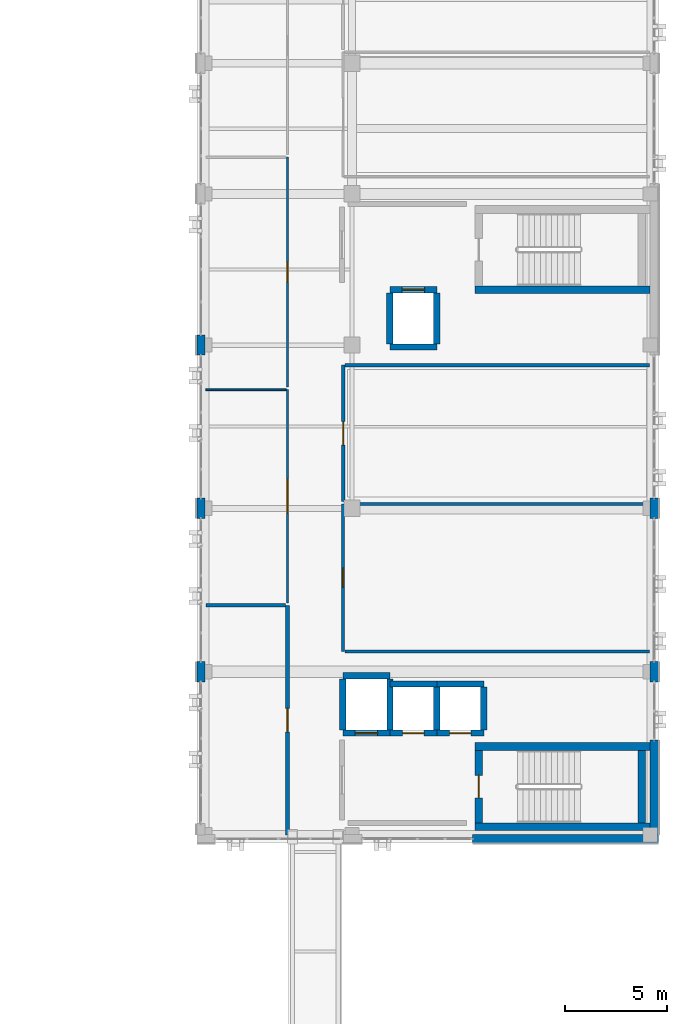
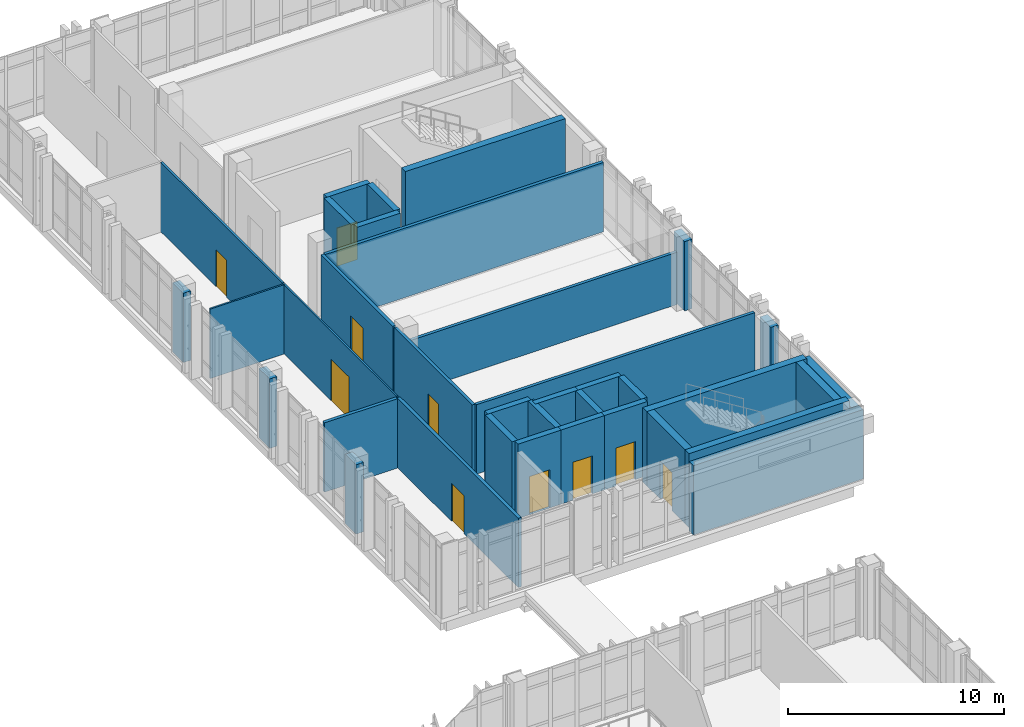
# One storey, part 132 of 158: 36 walls, 10 doors, 10 openings.
"""IFC4 building model written with IfcOpenShell, lengths in metres."""

from ifc_helpers import new_model, si_unit, direction, frame, frame_2d, origin, place, context, subcontext, project, spatial, rectangle, extrude, material, layer, layer_set, type_object, element, fill, save


model = new_model("IFC4")

# Units and contexts
model_context = context("Model", 3, precision=1e-05, world=origin(), true_north=direction((0.0, 1.0)))
body_context = subcontext(model_context, "Body", "Model", "MODEL_VIEW")
ifc_project = project(units=[si_unit("LENGTHUNIT", "METRE"), si_unit("AREAUNIT", "SQUARE_METRE"), si_unit("VOLUMEUNIT", "CUBIC_METRE"), si_unit("PLANEANGLEUNIT", "RADIAN"), si_unit("MASSUNIT", "GRAM", prefix="KILO")], contexts=[model_context])

# Site, building, storey
site_placement = place(None, origin())
site = spatial("IfcSite", under=ifc_project, at=site_placement, CompositionType="ELEMENT")
building_placement = place(site_placement, origin())
building = spatial("IfcBuilding", under=site, at=building_placement, Name="Qalavern Law Courts", CompositionType="ELEMENT")
storey_placement = place(building_placement, frame((0.0, 0.0, 18.60009765625)))
storey = spatial("IfcBuildingStorey", under=building, at=storey_placement, Name="L04", CompositionType="ELEMENT", Elevation=18.60009765625)

# Walls
ifc_material_1 = material(Name="Concrete C40/50", Category="concrete")
ifc_layer_1 = layer(ifc_material_1, 0.39990234375)
ifc_layer_set_1 = layer_set([ifc_layer_1], Name="Concrete C40/50")
wall_type_1 = type_object("IfcWallType", Name="ENV-EW-400", PredefinedType="SOLIDWALL", material=ifc_layer_set_1)
wall_1_placement = place(storey_placement, frame((97.699951171875, 41.219970703125, 0.0), z_axis=(0.0, 0.0, 1.0), x_axis=(1.0, 0.0, 0.0)))
element("IfcWall", 1, at=wall_1_placement, inside=storey, type_object=wall_type_1, Name="V4 exterior pier wall L04 south 3", PredefinedType="SOLIDWALL", context=body_context, shape_type="SweptSolid", body=[
    extrude(rectangle(XDim=9.10009765625, YDim=0.39990234375, at=frame_2d((4.550048828125, 0.0))), origin(), (0.0, 0.0, 1.0), 3.9248046875),
])
wall_2_placement = place(storey_placement, frame((106.60009765625, 41.4150390625, 0.0), z_axis=(0.0, 0.0, 1.0), x_axis=(0.0, 1.0, 0.0)))
element("IfcWall", 2, at=wall_2_placement, inside=storey, type_object=wall_type_1, Name="V4 exterior pier wall L04 east 1", PredefinedType="SOLIDWALL", context=body_context, shape_type="SweptSolid", body=[
    extrude(rectangle(XDim=4.635009765625, YDim=0.39990234375, at=frame_2d((2.3173828125, 0.0))), origin(), (0.0, 0.0, 1.0), 3.9248046875),
])
for number, where, z_axis, x_axis, name in (
    (3, (106.60009765625, 48.89990234375, 0.0), (0.0, 0.0, 1.0), (0.0, 1.0, 0.0), "V4 exterior pier wall L04 east 2"),
    (4, (106.60009765625, 56.89990234375, 0.0), (0.0, 0.0, 1.0), (0.0, 1.0, 0.0), "V4 exterior pier wall L04 east 3"),
    (5, (84.39990234375, 65.89990234375, 0.0), (0.0, 0.0, 1.0), (0.0, -1.0, 0.0), "V4 exterior pier wall L04 west 4"),
    (6, (84.39990234375, 57.89990234375, 0.0), (0.0, 0.0, 1.0), (0.0, -1.0, 0.0), "V4 exterior pier wall L04 west 5"),
    (7, (84.39990234375, 49.89990234375, 0.0), (0.0, 0.0, 1.0), (0.0, -1.0, 0.0), "V4 exterior pier wall L04 west 6"),
):
    element("IfcWall", number, at=place(storey_placement, frame(where, z_axis=z_axis, x_axis=x_axis)), inside=storey, type_object=wall_type_1, Name=name, PredefinedType="SOLIDWALL", context=body_context, shape_type="SweptSolid", body=[
        extrude(rectangle(XDim=1.0, YDim=0.39990234375, at=frame_2d((0.5, 0.0))), origin(), (0.0, 0.0, 1.0), 3.9248046875),
    ])
ifc_material_2 = material(Name="Concrete C45/55", Category="concrete")
ifc_layer_2 = layer(ifc_material_2, 0.375)
ifc_layer_set_2 = layer_set([ifc_layer_2], Name="Concrete C45/55")
wall_type_2 = type_object("IfcWallType", Name="INT-CW-375", PredefinedType="SHEAR", material=ifc_layer_set_2)
wall_3_placement = place(storey_placement, frame((97.824951171875, 41.8125, 0.0), z_axis=(0.0, 0.0, 1.0), x_axis=(1.0, 0.0, 0.0)))
element("IfcWall", 8, at=wall_3_placement, inside=storey, type_object=wall_type_2, Name="Core K1A stair shear wall L04 south", PredefinedType="SHEAR", context=body_context, shape_type="SweptSolid", body=[
    extrude(rectangle(XDim=8.572021484375, YDim=0.375, at=frame_2d((4.2861328125, 0.0))), origin(), (0.0, 0.0, 1.0), 4.199951171875),
])
wall_4_placement = place(storey_placement, frame((105.987548828125, 42.0, 0.0), z_axis=(0.0, 0.0, 1.0), x_axis=(0.0, 1.0, 0.0)))
element("IfcWall", 9, at=wall_4_placement, inside=storey, type_object=wall_type_2, Name="Core K1A stair shear wall L04 east", PredefinedType="SHEAR", context=body_context, shape_type="SweptSolid", body=[
    extrude(rectangle(XDim=3.550048828125, YDim=0.375, at=frame_2d((1.77490234375, 0.0))), origin(), (0.0, 0.0, 1.0), 4.199951171875),
])
wall_5_placement = place(storey_placement, frame((106.39697265625, 45.737548828125, 0.0), z_axis=(0.0, 0.0, 1.0), x_axis=(-1.0, 0.0, 0.0)))
element("IfcWall", 10, at=wall_5_placement, inside=storey, type_object=wall_type_2, Name="Core K1A stair shear wall L04 north", PredefinedType="SHEAR", context=body_context, shape_type="SweptSolid", body=[
    extrude(rectangle(XDim=8.572021484375, YDim=0.375, at=frame_2d((4.2861328125, 0.0))), origin(), (0.0, 0.0, 1.0), 4.199951171875),
])

# Wall, opening, door
wall_6_placement = place(storey_placement, frame((98.012451171875, 45.550048828125, 0.0), z_axis=(0.0, 0.0, 1.0), x_axis=(0.0, -1.0, 0.0)))
wall_6 = element("IfcWall", 11, at=wall_6_placement, inside=storey, type_object=wall_type_2, Name="Core K1A stair shear wall L04 west", PredefinedType="SHEAR", context=body_context, shape_type="SweptSolid", body=[
    extrude(rectangle(XDim=3.550048828125, YDim=0.375, at=frame_2d((1.77490234375, 0.0))), origin(), (0.0, 0.0, 1.0), 4.199951171875),
])
opening_1_placement = place(wall_6_placement, frame((1.22509765625, 0.0, 0.0)))
opening_1 = element("IfcOpeningElement", 12, at=opening_1_placement, cuts=wall_6, Name="Opening L04-D013", PredefinedType="OPENING", context=body_context, shape_type="SweptSolid", body=[
    extrude(rectangle(XDim=1.10009765625, YDim=2.14990234375, at=frame_2d((0.550048828125, 1.074951171875))), frame((0.0, 0.202392578125, 0.0), z_axis=(0.0, -1.0, 0.0), x_axis=(1.0, 0.0, 0.0)), (0.0, 0.0, 1.0), 0.40478515625),
])
ifc_material_3 = material(Name="Steel fire-rated stair enclosure door", Category="steel")
door_type_1 = type_object("IfcDoorType", Name="INT-FD-1100x2150", OperationType="NOTDEFINED", PredefinedType="DOOR", material=ifc_material_3)
door_1_placement = place(opening_1_placement, frame((1.10009765625, 0.0, 0.0), z_axis=(0.0, 0.0, 1.0), x_axis=(-1.0, 0.0, 0.0)))
door_1 = element("IfcDoor", 13, at=door_1_placement, inside=storey, type_object=door_type_1, Name="Stair K1A fire door L04", OperationType="SINGLE_SWING_LEFT", OverallHeight=2.14990234375, OverallWidth=1.10009765625, PredefinedType="DOOR", context=body_context, shape_type="SweptSolid", body=[
    extrude(rectangle(XDim=1.10009765625, YDim=2.14990234375, at=frame_2d((0.550048828125, 1.074951171875))), frame((0.0, 0.02490234375, 0.0), z_axis=(0.0, -1.0, 0.0), x_axis=(1.0, 0.0, 0.0)), (0.0, 0.0, 1.0), 0.050048828125),
])
fill(opening_1, door_1)

# Wall
wall_7_placement = place(storey_placement, frame((97.824951171875, 68.112548828125, 0.0), z_axis=(0.0, 0.0, 1.0), x_axis=(1.0, 0.0, 0.0)))
element("IfcWall", 14, at=wall_7_placement, inside=storey, type_object=wall_type_2, Name="Core K1B stair shear wall L04 south", PredefinedType="SHEAR", context=body_context, shape_type="SweptSolid", body=[
    extrude(rectangle(XDim=8.572021484375, YDim=0.375, at=frame_2d((4.2861328125, 0.0))), origin(), (0.0, 0.0, 1.0), 4.199951171875),
])

# Wall, opening, door
ifc_material_4 = material(Name="Gypsum shaft/chase partition")
ifc_layer_3 = layer(ifc_material_4, 0.092041015625)
ifc_layer_set_3 = layer_set([ifc_layer_3], Name="Gypsum shaft/chase partition")
wall_type_3 = type_object("IfcWallType", Name="INT-PW-092", PredefinedType="PARTITIONING", material=ifc_layer_set_3)
wall_8_placement = place(storey_placement, frame((88.639892578125, 52.77001953125, 0.0), z_axis=(0.0, 0.0, 1.0), x_axis=(0.0, 1.0, 0.0)))
wall_8 = element("IfcWall", 15, at=wall_8_placement, inside=storey, type_object=wall_type_3, Name="Commercial Courtroom corridor partition L04", PredefinedType="PARTITIONING", context=body_context, shape_type="SweptSolid", body=[
    extrude(rectangle(XDim=10.44189453125, YDim=0.092041015625, at=frame_2d((5.220947265625, 0.0))), origin(), (0.0, 0.0, 1.0), 3.9248046875),
])
opening_2_placement = place(wall_8_placement, frame((4.39599609375, 0.0, 0.0)))
opening_2 = element("IfcOpeningElement", 16, at=opening_2_placement, cuts=wall_8, Name="Opening L04-D286", PredefinedType="OPENING", context=body_context, shape_type="SweptSolid", body=[
    extrude(rectangle(XDim=1.64990234375, YDim=2.35009765625, at=frame_2d((0.824951171875, 1.175048828125))), frame((0.0, 0.06103515625, 0.0), z_axis=(0.0, -1.0, 0.0), x_axis=(1.0, 0.0, 0.0)), (0.0, 0.0, 1.0), 0.121826171875),
])
ifc_material_5 = material(Name="Acoustic oak double Ceremonial Courtroom door")
door_type_2 = type_object("IfcDoorType", Name="INT-ID-1650x2350", OperationType="DOUBLE_DOOR_SINGLE_SWING", PredefinedType="DOOR", material=ifc_material_5)
door_2_placement = place(opening_2_placement, frame((1.64990234375, 0.0, 0.0), z_axis=(0.0, 0.0, 1.0), x_axis=(-1.0, 0.0, 0.0)))
door_2 = element("IfcDoor", 17, at=door_2_placement, inside=storey, type_object=door_type_2, Name="Commercial Courtroom door L04", OperationType="DOUBLE_DOOR_SINGLE_SWING", OverallHeight=2.35009765625, OverallWidth=1.64990234375, PredefinedType="DOOR", context=body_context, shape_type="SweptSolid", body=[
    extrude(rectangle(XDim=1.64990234375, YDim=2.35009765625, at=frame_2d((0.824951171875, 1.175048828125))), frame((0.0, 0.02490234375, 0.0), z_axis=(0.0, -1.0, 0.0), x_axis=(1.0, 0.0, 0.0)), (0.0, 0.0, 1.0), 0.050048828125),
])
fill(opening_2, door_2)

# Wall
wall_9_placement = place(storey_placement, frame((84.639892578125, 63.2119140625, 0.0), z_axis=(0.0, 0.0, 1.0), x_axis=(1.0, 0.0, 0.0)))
element("IfcWall", 18, at=wall_9_placement, inside=storey, type_object=wall_type_3, Name="Commercial Courtroom cross partition L04 north", PredefinedType="PARTITIONING", context=body_context, shape_type="SweptSolid", body=[
    extrude(rectangle(XDim=3.93408203125, YDim=0.092041015625, at=frame_2d((1.967041015625, 0.0))), origin(), (0.0, 0.0, 1.0), 3.9248046875),
])

# Wall, opening, door
ifc_material_6 = material(Name="Gypsum stud partition")
ifc_layer_4 = layer(ifc_material_6, 0.112060546875)
ifc_layer_set_4 = layer_set([ifc_layer_4], Name="Gypsum stud partition")
wall_type_4 = type_object("IfcWallType", Name="INT-PW-112", PredefinedType="PARTITIONING", material=ifc_layer_set_4)
wall_10_placement = place(storey_placement, frame((88.639892578125, 63.33203125, 0.0), z_axis=(0.0, 0.0, 1.0), x_axis=(0.0, 1.0, 0.0)))
wall_10 = element("IfcWall", 19, at=wall_10_placement, inside=storey, type_object=wall_type_4, Name="Jury Deliberation Suite corridor partition L04", PredefinedType="PARTITIONING", context=body_context, shape_type="SweptSolid", body=[
    extrude(rectangle(XDim=11.26806640625, YDim=0.112060546875, at=frame_2d((5.634033203125, 0.0))), origin(), (0.0, 0.0, 1.0), 3.9248046875),
])
opening_3_placement = place(wall_10_placement, frame((5.14404296875, 0.0, 0.0)))
opening_3 = element("IfcOpeningElement", 20, at=opening_3_placement, cuts=wall_10, Name="Opening L04-D287", PredefinedType="OPENING", context=body_context, shape_type="SweptSolid", body=[
    extrude(rectangle(XDim=0.97998046875, YDim=2.090087890625, at=frame_2d((0.489990234375, 1.044921875))), frame((0.0, 0.07080078125, 0.0), z_axis=(0.0, -1.0, 0.0), x_axis=(1.0, 0.0, 0.0)), (0.0, 0.0, 1.0), 0.141845703125),
])
ifc_material_7 = material(Name="Timber Legal Research Office door", Category="wood")
door_type_3 = type_object("IfcDoorType", Name="INT-ID-980x2090", OperationType="NOTDEFINED", PredefinedType="DOOR", material=ifc_material_7)
door_3_placement = place(opening_3_placement, frame((0.97998046875, 0.0, 0.0), z_axis=(0.0, 0.0, 1.0), x_axis=(-1.0, 0.0, 0.0)))
door_3 = element("IfcDoor", 21, at=door_3_placement, inside=storey, type_object=door_type_3, Name="Jury Deliberation Suite door L04", OperationType="SINGLE_SWING_LEFT", OverallHeight=2.090087890625, OverallWidth=0.97998046875, PredefinedType="DOOR", context=body_context, shape_type="SweptSolid", body=[
    extrude(rectangle(XDim=0.97998046875, YDim=2.090087890625, at=frame_2d((0.489990234375, 1.044921875))), frame((0.0, 0.02490234375, 0.0), z_axis=(0.0, -1.0, 0.0), x_axis=(1.0, 0.0, 0.0)), (0.0, 0.0, 1.0), 0.050048828125),
])
fill(opening_3, door_3)

ifc_layer_5 = layer(ifc_material_6, 0.162109375)
ifc_layer_set_5 = layer_set([ifc_layer_5], Name="Gypsum stud partition")
wall_type_5 = type_object("IfcWallType", Name="INT-PW-162", PredefinedType="PARTITIONING", material=ifc_layer_set_5)
wall_11_placement = place(storey_placement, frame((91.360107421875, 50.389892578125, 0.0), z_axis=(0.0, 0.0, 1.0), x_axis=(0.0, 1.0, 0.0)))
wall_11 = element("IfcWall", 22, at=wall_11_placement, inside=storey, type_object=wall_type_5, Name="Accessible WC corridor partition L04", PredefinedType="PARTITIONING", context=body_context, shape_type="SweptSolid", body=[
    extrude(rectangle(XDim=7.22509765625, YDim=0.162109375, at=frame_2d((3.612548828125, 0.0))), origin(), (0.0, 0.0, 1.0), 3.9248046875),
])
opening_4_placement = place(wall_11_placement, frame((3.142578125, 0.0, 0.0)))
opening_4 = element("IfcOpeningElement", 23, at=opening_4_placement, cuts=wall_11, Name="Opening L04-D289", PredefinedType="OPENING", context=body_context, shape_type="SweptSolid", body=[
    extrude(rectangle(XDim=0.93994140625, YDim=2.070068359375, at=frame_2d((0.469970703125, 1.03515625))), frame((0.0, 0.095947265625, 0.0), z_axis=(0.0, -1.0, 0.0), x_axis=(1.0, 0.0, 0.0)), (0.0, 0.0, 1.0), 0.19189453125),
])
ifc_material_8 = material(Name="Accessible WC outward-clear door")
door_type_4 = type_object("IfcDoorType", Name="INT-ID-940x2070", OperationType="NOTDEFINED", PredefinedType="DOOR", material=ifc_material_8)
door_4_placement = place(opening_4_placement, origin())
door_4 = element("IfcDoor", 24, at=door_4_placement, inside=storey, type_object=door_type_4, Name="Accessible WC door L04", OperationType="SINGLE_SWING_LEFT", OverallHeight=2.070068359375, OverallWidth=0.93994140625, PredefinedType="DOOR", context=body_context, shape_type="SweptSolid", body=[
    extrude(rectangle(XDim=0.93994140625, YDim=2.070068359375, at=frame_2d((0.469970703125, 1.03515625))), frame((0.0, 0.02490234375, 0.0), z_axis=(0.0, -1.0, 0.0), x_axis=(1.0, 0.0, 0.0)), (0.0, 0.0, 1.0), 0.050048828125),
])
fill(opening_4, door_4)

# Walls
wall_12_placement = place(storey_placement, frame((91.4609375, 50.389892578125, 0.0), z_axis=(0.0, 0.0, 1.0), x_axis=(1.0, 0.0, 0.0)))
element("IfcWall", 25, at=wall_12_placement, inside=storey, type_object=wall_type_5, Name="Accessible WC cross partition L04 south", PredefinedType="PARTITIONING", context=body_context, shape_type="SweptSolid", body=[
    extrude(rectangle(XDim=14.899169921875, YDim=0.162109375, at=frame_2d((7.44970703125, 0.0))), origin(), (0.0, 0.0, 1.0), 3.9248046875),
])
wall_13_placement = place(storey_placement, frame((91.4609375, 57.614990234375, 0.0), z_axis=(0.0, 0.0, 1.0), x_axis=(1.0, 0.0, 0.0)))
element("IfcWall", 26, at=wall_13_placement, inside=storey, type_object=wall_type_5, Name="Accessible WC cross partition L04 north", PredefinedType="PARTITIONING", context=body_context, shape_type="SweptSolid", body=[
    extrude(rectangle(XDim=14.899169921875, YDim=0.162109375, at=frame_2d((7.44970703125, 0.0))), origin(), (0.0, 0.0, 1.0), 2.954833984375),
])

# Wall, opening, door
ifc_material_9 = material(Name="Gypsum acoustic stud partition")
ifc_layer_6 = layer(ifc_material_9, 0.174072265625)
ifc_layer_set_6 = layer_set([ifc_layer_6], Name="Gypsum acoustic stud partition")
wall_type_6 = type_object("IfcWallType", Name="INT-PW-174", PredefinedType="PARTITIONING", material=ifc_layer_set_6)
wall_14_placement = place(storey_placement, frame((88.639892578125, 41.39990234375, 0.0), z_axis=(0.0, 0.0, 1.0), x_axis=(0.0, 1.0, 0.0)))
wall_14 = element("IfcWall", 27, at=wall_14_placement, inside=storey, type_object=wall_type_6, Name="Appellate Courtroom corridor partition L04", PredefinedType="PARTITIONING", context=body_context, shape_type="SweptSolid", body=[
    extrude(rectangle(XDim=11.25, YDim=0.174072265625, at=frame_2d((5.625, 0.0))), origin(), (0.0, 0.0, 1.0), 3.9248046875),
])
opening_5_placement = place(wall_14_placement, frame((5.050048828125, 0.0, 0.0)))
opening_5 = element("IfcOpeningElement", 28, at=opening_5_placement, cuts=wall_14, Name="Opening L04-D285", PredefinedType="OPENING", context=body_context, shape_type="SweptSolid", body=[
    extrude(rectangle(XDim=1.14990234375, YDim=2.14990234375, at=frame_2d((0.574951171875, 1.074951171875))), frame((0.0, 0.10205078125, 0.0), z_axis=(0.0, -1.0, 0.0), x_axis=(1.0, 0.0, 0.0)), (0.0, 0.0, 1.0), 0.203857421875),
])
ifc_material_10 = material(Name="Acoustic oak Witness Waiting door")
door_type_5 = type_object("IfcDoorType", Name="INT-ID-1150x2150", OperationType="NOTDEFINED", PredefinedType="DOOR", material=ifc_material_10)
door_5_placement = place(opening_5_placement, frame((1.14990234375, 0.0, 0.0), z_axis=(0.0, 0.0, 1.0), x_axis=(-1.0, 0.0, 0.0)))
door_5 = element("IfcDoor", 29, at=door_5_placement, inside=storey, type_object=door_type_5, Name="Appellate Courtroom door L04", OperationType="SINGLE_SWING_RIGHT", OverallHeight=2.14990234375, OverallWidth=1.14990234375, PredefinedType="DOOR", context=body_context, shape_type="SweptSolid", body=[
    extrude(rectangle(XDim=1.14990234375, YDim=2.14990234375, at=frame_2d((0.574951171875, 1.074951171875))), frame((0.0, 0.02490234375, 0.0), z_axis=(0.0, -1.0, 0.0), x_axis=(1.0, 0.0, 0.0)), (0.0, 0.0, 1.0), 0.050048828125),
])
fill(opening_5, door_5)

# Wall
wall_15_placement = place(storey_placement, frame((84.639892578125, 52.64990234375, 0.0), z_axis=(0.0, 0.0, 1.0), x_axis=(1.0, 0.0, 0.0)))
element("IfcWall", 30, at=wall_15_placement, inside=storey, type_object=wall_type_6, Name="Appellate Courtroom cross partition L04 north", PredefinedType="PARTITIONING", context=body_context, shape_type="SweptSolid", body=[
    extrude(rectangle(XDim=3.89306640625, YDim=0.174072265625, at=frame_2d((1.946533203125, 0.0))), origin(), (0.0, 0.0, 1.0), 3.9248046875),
])

# Wall, opening, door
wall_16_placement = place(storey_placement, frame((91.360107421875, 57.735107421875, 0.0), z_axis=(0.0, 0.0, 1.0), x_axis=(0.0, 1.0, 0.0)))
wall_16 = element("IfcWall", 31, at=wall_16_placement, inside=storey, type_object=wall_type_6, Name="Appellate Courtroom corridor partition L04", PredefinedType="PARTITIONING", context=body_context, shape_type="SweptSolid", body=[
    extrude(rectangle(XDim=6.6748046875, YDim=0.174072265625, at=frame_2d((3.33740234375, 0.0))), origin(), (0.0, 0.0, 1.0), 3.9248046875),
])
opening_6_placement = place(wall_16_placement, frame((2.762451171875, 0.0, 0.0)))
opening_6 = element("IfcOpeningElement", 32, at=opening_6_placement, cuts=wall_16, Name="Opening L04-D290", PredefinedType="OPENING", context=body_context, shape_type="SweptSolid", body=[
    extrude(rectangle(XDim=1.14990234375, YDim=2.14990234375, at=frame_2d((0.574951171875, 1.074951171875))), frame((0.0, 0.10205078125, 0.0), z_axis=(0.0, -1.0, 0.0), x_axis=(1.0, 0.0, 0.0)), (0.0, 0.0, 1.0), 0.203857421875),
])
door_6_placement = place(opening_6_placement, origin())
door_6 = element("IfcDoor", 33, at=door_6_placement, inside=storey, type_object=door_type_5, Name="Appellate Courtroom door L04", OperationType="SINGLE_SWING_RIGHT", OverallHeight=2.14990234375, OverallWidth=1.14990234375, PredefinedType="DOOR", context=body_context, shape_type="SweptSolid", body=[
    extrude(rectangle(XDim=1.14990234375, YDim=2.14990234375, at=frame_2d((0.574951171875, 1.074951171875))), frame((0.0, 0.02490234375, 0.0), z_axis=(0.0, -1.0, 0.0), x_axis=(1.0, 0.0, 0.0)), (0.0, 0.0, 1.0), 0.050048828125),
])
fill(opening_6, door_6)

# Wall
wall_17_placement = place(storey_placement, frame((91.467041015625, 64.409912109375, 0.0), z_axis=(0.0, 0.0, 1.0), x_axis=(1.0, 0.0, 0.0)))
element("IfcWall", 34, at=wall_17_placement, inside=storey, type_object=wall_type_6, Name="Appellate Courtroom cross partition L04 north", PredefinedType="PARTITIONING", context=body_context, shape_type="SweptSolid", body=[
    extrude(rectangle(XDim=14.89306640625, YDim=0.174072265625, at=frame_2d((7.446533203125, 0.0))), origin(), (0.0, 0.0, 1.0), 3.9248046875),
])

# Wall, opening, door
ifc_layer_7 = layer(ifc_material_2, 0.304931640625)
ifc_layer_set_7 = layer_set([ifc_layer_7], Name="Concrete C45/55")
wall_type_7 = type_object("IfcWallType", Name="INT-SW-305", PredefinedType="SHEAR", material=ifc_layer_set_7)
wall_18_placement = place(storey_placement, frame((91.347412109375, 46.3974609375, 0.0), z_axis=(0.0, 0.0, 1.0), x_axis=(1.0, 0.0, 0.0)))
wall_18 = element("IfcWall", 35, at=wall_18_placement, inside=storey, type_object=wall_type_7, Name="Lift LF-FF1 shaft wall L04 south", PredefinedType="SHEAR", context=body_context, shape_type="SweptSolid", body=[
    extrude(rectangle(XDim=2.30517578125, YDim=0.304931640625, at=frame_2d((1.152587890625, 0.0))), origin(), (0.0, 0.0, 1.0), 4.199951171875),
])
opening_7_placement = place(wall_18_placement, frame((0.6025390625, 0.0, 0.0)))
opening_7 = element("IfcOpeningElement", 36, at=opening_7_placement, cuts=wall_18, Name="Opening LD-LF-FF1-L04", PredefinedType="OPENING", context=body_context, shape_type="SweptSolid", body=[
    extrude(rectangle(XDim=1.10009765625, YDim=2.159912109375, at=frame_2d((0.550048828125, 1.080078125))), frame((0.0, 0.16748046875, 0.0), z_axis=(0.0, -1.0, 0.0), x_axis=(1.0, 0.0, 0.0)), (0.0, 0.0, 1.0), 0.334716796875),
])
ifc_material_11 = material(Name="Stainless steel firefighting lift sliding landing door", Category="steel")
door_type_6 = type_object("IfcDoorType", Name="INT-LD-1100x2160", OperationType="DOUBLE_DOOR_SLIDING", PredefinedType="DOOR", material=ifc_material_11)
door_7_placement = place(opening_7_placement, origin())
door_7 = element("IfcDoor", 37, at=door_7_placement, inside=storey, type_object=door_type_6, Name="Lift LF-FF1 sliding landing door L04", OperationType="DOUBLE_DOOR_SLIDING", OverallHeight=2.159912109375, OverallWidth=1.10009765625, PredefinedType="DOOR", context=body_context, shape_type="SweptSolid", body=[
    extrude(rectangle(XDim=1.10009765625, YDim=2.159912109375, at=frame_2d((0.550048828125, 1.080078125))), frame((0.0, 0.02490234375, 0.0), z_axis=(0.0, -1.0, 0.0), x_axis=(1.0, 0.0, 0.0)), (0.0, 0.0, 1.0), 0.050048828125),
])
fill(opening_7, door_7)

# Walls
wall_19_placement = place(storey_placement, frame((93.652587890625, 46.550048828125, 0.0), z_axis=(0.0, 0.0, 1.0), x_axis=(0.0, 1.0, 0.0)))
element("IfcWall", 38, at=wall_19_placement, inside=storey, type_object=wall_type_7, Name="Lift LF-FF1 shaft wall L04 east", PredefinedType="SHEAR", context=body_context, shape_type="SweptSolid", body=[
    extrude(rectangle(XDim=2.5, YDim=0.304931640625, at=frame_2d((1.25, 0.0))), origin(), (0.0, 0.0, 1.0), 4.199951171875),
])
wall_20_placement = place(storey_placement, frame((93.652587890625, 49.202392578125, 0.0), z_axis=(0.0, 0.0, 1.0), x_axis=(-1.0, 0.0, 0.0)))
element("IfcWall", 39, at=wall_20_placement, inside=storey, type_object=wall_type_7, Name="Lift LF-FF1 shaft wall L04 north", PredefinedType="SHEAR", context=body_context, shape_type="SweptSolid", body=[
    extrude(rectangle(XDim=2.30517578125, YDim=0.304931640625, at=frame_2d((1.152587890625, 0.0))), origin(), (0.0, 0.0, 1.0), 4.199951171875),
])
wall_21_placement = place(storey_placement, frame((91.347412109375, 49.050048828125, 0.0), z_axis=(0.0, 0.0, 1.0), x_axis=(0.0, -1.0, 0.0)))
element("IfcWall", 40, at=wall_21_placement, inside=storey, type_object=wall_type_7, Name="Lift LF-FF1 shaft wall L04 west", PredefinedType="SHEAR", context=body_context, shape_type="SweptSolid", body=[
    extrude(rectangle(XDim=2.5, YDim=0.304931640625, at=frame_2d((1.25, 0.0))), origin(), (0.0, 0.0, 1.0), 4.199951171875),
])

# Wall, opening, door
wall_22_placement = place(storey_placement, frame((93.6474609375, 46.3974609375, 0.0), z_axis=(0.0, 0.0, 1.0), x_axis=(1.0, 0.0, 0.0)))
wall_22 = element("IfcWall", 41, at=wall_22_placement, inside=storey, type_object=wall_type_7, Name="Lift LF-P1 shaft wall L04 south", PredefinedType="SHEAR", context=body_context, shape_type="SweptSolid", body=[
    extrude(rectangle(XDim=2.304931640625, YDim=0.304931640625, at=frame_2d((1.15234375, 0.0))), origin(), (0.0, 0.0, 1.0), 4.199951171875),
])
opening_8_placement = place(wall_22_placement, frame((0.62744140625, 0.0, 0.0)))
opening_8 = element("IfcOpeningElement", 42, at=opening_8_placement, cuts=wall_22, Name="Opening LD-LF-P1-L04", PredefinedType="OPENING", context=body_context, shape_type="SweptSolid", body=[
    extrude(rectangle(XDim=1.050048828125, YDim=2.14990234375, at=frame_2d((0.52490234375, 1.074951171875))), frame((0.0, 0.16748046875, 0.0), z_axis=(0.0, -1.0, 0.0), x_axis=(1.0, 0.0, 0.0)), (0.0, 0.0, 1.0), 0.334716796875),
])
ifc_material_12 = material(Name="Brushed stainless steel passenger lift sliding landing door", Category="steel")
door_type_7 = type_object("IfcDoorType", Name="INT-LD-1050x2150", OperationType="DOUBLE_DOOR_SLIDING", PredefinedType="DOOR", material=ifc_material_12)
door_8_placement = place(opening_8_placement, origin())
door_8 = element("IfcDoor", 43, at=door_8_placement, inside=storey, type_object=door_type_7, Name="Lift LF-P1 sliding landing door L04", OperationType="DOUBLE_DOOR_SLIDING", OverallHeight=2.14990234375, OverallWidth=1.050048828125, PredefinedType="DOOR", context=body_context, shape_type="SweptSolid", body=[
    extrude(rectangle(XDim=1.050048828125, YDim=2.14990234375, at=frame_2d((0.52490234375, 1.074951171875))), frame((0.0, 0.02490234375, 0.0), z_axis=(0.0, -1.0, 0.0), x_axis=(1.0, 0.0, 0.0)), (0.0, 0.0, 1.0), 0.050048828125),
])
fill(opening_8, door_8)

# Walls
wall_23_placement = place(storey_placement, frame((95.952392578125, 46.550048828125, 0.0), z_axis=(0.0, 0.0, 1.0), x_axis=(0.0, 1.0, 0.0)))
element("IfcWall", 44, at=wall_23_placement, inside=storey, type_object=wall_type_7, Name="Lift LF-P1 shaft wall L04 east", PredefinedType="SHEAR", context=body_context, shape_type="SweptSolid", body=[
    extrude(rectangle(XDim=2.099853515625, YDim=0.304931640625, at=frame_2d((1.0498046875, 0.0))), origin(), (0.0, 0.0, 1.0), 4.199951171875),
])
wall_24_placement = place(storey_placement, frame((95.952392578125, 48.802490234375, 0.0), z_axis=(0.0, 0.0, 1.0), x_axis=(-1.0, 0.0, 0.0)))
element("IfcWall", 45, at=wall_24_placement, inside=storey, type_object=wall_type_7, Name="Lift LF-P1 shaft wall L04 north", PredefinedType="SHEAR", context=body_context, shape_type="SweptSolid", body=[
    extrude(rectangle(XDim=2.304931640625, YDim=0.304931640625, at=frame_2d((1.15234375, 0.0))), origin(), (0.0, 0.0, 1.0), 4.199951171875),
])

# Wall, opening, door
wall_25_placement = place(storey_placement, frame((95.947509765625, 46.3974609375, 0.0), z_axis=(0.0, 0.0, 1.0), x_axis=(1.0, 0.0, 0.0)))
wall_25 = element("IfcWall", 46, at=wall_25_placement, inside=storey, type_object=wall_type_7, Name="Lift LF-P2 shaft wall L04 south", PredefinedType="SHEAR", context=body_context, shape_type="SweptSolid", body=[
    extrude(rectangle(XDim=2.304931640625, YDim=0.304931640625, at=frame_2d((1.15234375, 0.0))), origin(), (0.0, 0.0, 1.0), 4.199951171875),
])
opening_9_placement = place(wall_25_placement, frame((0.62744140625, 0.0, 0.0)))
opening_9 = element("IfcOpeningElement", 47, at=opening_9_placement, cuts=wall_25, Name="Opening LD-LF-P2-L04", PredefinedType="OPENING", context=body_context, shape_type="SweptSolid", body=[
    extrude(rectangle(XDim=1.050048828125, YDim=2.14990234375, at=frame_2d((0.52490234375, 1.074951171875))), frame((0.0, 0.16748046875, 0.0), z_axis=(0.0, -1.0, 0.0), x_axis=(1.0, 0.0, 0.0)), (0.0, 0.0, 1.0), 0.334716796875),
])
door_9_placement = place(opening_9_placement, origin())
door_9 = element("IfcDoor", 48, at=door_9_placement, inside=storey, type_object=door_type_7, Name="Lift LF-P2 sliding landing door L04", OperationType="DOUBLE_DOOR_SLIDING", OverallHeight=2.14990234375, OverallWidth=1.050048828125, PredefinedType="DOOR", context=body_context, shape_type="SweptSolid", body=[
    extrude(rectangle(XDim=1.050048828125, YDim=2.14990234375, at=frame_2d((0.52490234375, 1.074951171875))), frame((0.0, 0.02490234375, 0.0), z_axis=(0.0, -1.0, 0.0), x_axis=(1.0, 0.0, 0.0)), (0.0, 0.0, 1.0), 0.050048828125),
])
fill(opening_9, door_9)

# Walls
wall_26_placement = place(storey_placement, frame((98.25244140625, 46.550048828125, 0.0), z_axis=(0.0, 0.0, 1.0), x_axis=(0.0, 1.0, 0.0)))
element("IfcWall", 49, at=wall_26_placement, inside=storey, type_object=wall_type_7, Name="Lift LF-P2 shaft wall L04 east", PredefinedType="SHEAR", context=body_context, shape_type="SweptSolid", body=[
    extrude(rectangle(XDim=2.099853515625, YDim=0.304931640625, at=frame_2d((1.0498046875, 0.0))), origin(), (0.0, 0.0, 1.0), 4.199951171875),
])
for number, where, z_axis, x_axis, name in (
    (50, (98.25244140625, 48.802490234375, 0.0), (0.0, 0.0, 1.0), (-1.0, 0.0, 0.0), "Lift LF-P2 shaft wall L04 north"),
    (51, (93.6474609375, 65.297607421875, 0.0), (0.0, 0.0, 1.0), (1.0, 0.0, 0.0), "Lift LF-FF2 shaft wall L04 south"),
):
    element("IfcWall", number, at=place(storey_placement, frame(where, z_axis=z_axis, x_axis=x_axis)), inside=storey, type_object=wall_type_7, Name=name, PredefinedType="SHEAR", context=body_context, shape_type="SweptSolid", body=[
        extrude(rectangle(XDim=2.304931640625, YDim=0.304931640625, at=frame_2d((1.15234375, 0.0))), origin(), (0.0, 0.0, 1.0), 4.199951171875),
    ])
wall_27_placement = place(storey_placement, frame((95.952392578125, 65.449951171875, 0.0), z_axis=(0.0, 0.0, 1.0), x_axis=(0.0, 1.0, 0.0)))
element("IfcWall", 52, at=wall_27_placement, inside=storey, type_object=wall_type_7, Name="Lift LF-FF2 shaft wall L04 east", PredefinedType="SHEAR", context=body_context, shape_type="SweptSolid", body=[
    extrude(rectangle(XDim=2.5, YDim=0.304931640625, at=frame_2d((1.25, 0.0))), origin(), (0.0, 0.0, 1.0), 4.199951171875),
])

# Wall, opening, door
wall_28_placement = place(storey_placement, frame((95.952392578125, 68.1025390625, 0.0), z_axis=(0.0, 0.0, 1.0), x_axis=(-1.0, 0.0, 0.0)))
wall_28 = element("IfcWall", 53, at=wall_28_placement, inside=storey, type_object=wall_type_7, Name="Lift LF-FF2 shaft wall L04 north", PredefinedType="SHEAR", context=body_context, shape_type="SweptSolid", body=[
    extrude(rectangle(XDim=2.304931640625, YDim=0.304931640625, at=frame_2d((1.15234375, 0.0))), origin(), (0.0, 0.0, 1.0), 4.199951171875),
])
opening_10_placement = place(wall_28_placement, frame((0.6025390625, 0.0, 0.0)))
opening_10 = element("IfcOpeningElement", 54, at=opening_10_placement, cuts=wall_28, Name="Opening LD-LF-FF2-L04", PredefinedType="OPENING", context=body_context, shape_type="SweptSolid", body=[
    extrude(rectangle(XDim=1.10009765625, YDim=2.159912109375, at=frame_2d((0.550048828125, 1.080078125))), frame((0.0, 0.16748046875, 0.0), z_axis=(0.0, -1.0, 0.0), x_axis=(1.0, 0.0, 0.0)), (0.0, 0.0, 1.0), 0.334716796875),
])
door_10_placement = place(opening_10_placement, origin())
door_10 = element("IfcDoor", 55, at=door_10_placement, inside=storey, type_object=door_type_6, Name="Lift LF-FF2 sliding landing door L04", OperationType="DOUBLE_DOOR_SLIDING", OverallHeight=2.159912109375, OverallWidth=1.10009765625, PredefinedType="DOOR", context=body_context, shape_type="SweptSolid", body=[
    extrude(rectangle(XDim=1.10009765625, YDim=2.159912109375, at=frame_2d((0.550048828125, 1.080078125))), frame((0.0, 0.02490234375, 0.0), z_axis=(0.0, -1.0, 0.0), x_axis=(1.0, 0.0, 0.0)), (0.0, 0.0, 1.0), 0.050048828125),
])
fill(opening_10, door_10)

# Wall
wall_29_placement = place(storey_placement, frame((93.6474609375, 67.949951171875, 0.0), z_axis=(0.0, 0.0, 1.0), x_axis=(0.0, -1.0, 0.0)))
element("IfcWall", 56, at=wall_29_placement, inside=storey, type_object=wall_type_7, Name="Lift LF-FF2 shaft wall L04 west", PredefinedType="SHEAR", context=body_context, shape_type="SweptSolid", body=[
    extrude(rectangle(XDim=2.5, YDim=0.304931640625, at=frame_2d((1.25, 0.0))), origin(), (0.0, 0.0, 1.0), 4.199951171875),
])

save(model, "model.ifc")
